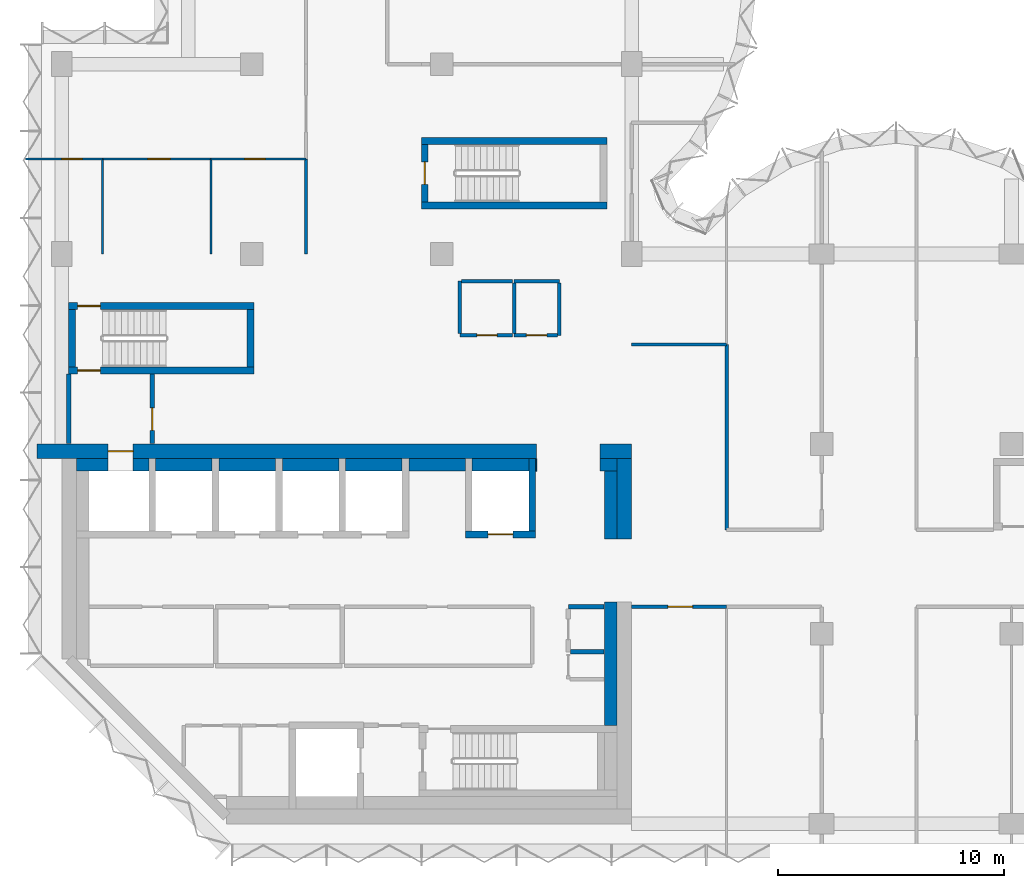
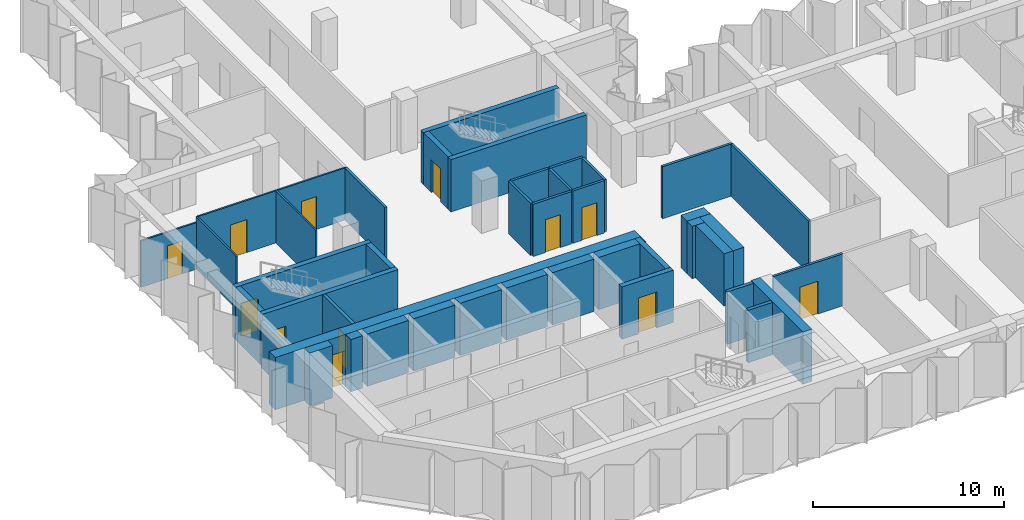
# One storey, part 6 of 10: 44 walls, 12 doors, 12 openings.
"""IFC4 building model written with IfcOpenShell, lengths in metres."""

from ifc_helpers import new_model, si_unit, direction, frame, frame_2d, origin, place, context, subcontext, project, spatial, rectangle, extrude, material, layer, layer_set, type_object, element, fill, save


model = new_model("IFC4")

# Units and contexts
model_context = context("Model", 3, precision=1e-05, world=origin(), true_north=direction((0.0, 1.0)))
body_context = subcontext(model_context, "Body", "Model", "MODEL_VIEW")
ifc_project = project(units=[si_unit("LENGTHUNIT", "METRE"), si_unit("AREAUNIT", "SQUARE_METRE"), si_unit("VOLUMEUNIT", "CUBIC_METRE"), si_unit("PLANEANGLEUNIT", "RADIAN"), si_unit("MASSUNIT", "GRAM", prefix="KILO")], contexts=[model_context])

# Site, building, storey
site_placement = place(None, origin())
site = spatial("IfcSite", under=ifc_project, at=site_placement, CompositionType="ELEMENT")
building_placement = place(site_placement, origin())
building = spatial("IfcBuilding", under=site, at=building_placement, Name="Brevane Broadcast Tower", CompositionType="ELEMENT")
storey_placement = place(building_placement, frame((0.0, 0.0, 170.39990234375)))
storey = spatial("IfcBuildingStorey", under=building, at=storey_placement, Name="L42", CompositionType="ELEMENT", Elevation=170.39990234375)

# Walls
ifc_material_1 = material(Name="Concrete C32/40", Category="concrete")
ifc_layer_1 = layer(ifc_material_1, 0.550048828125)
ifc_layer_set_1 = layer_set([ifc_layer_1], Name="Core chase wall 550 mm")
wall_type_1 = type_object("IfcWallType", Name="Core chase wall 550 mm", PredefinedType="PARTITIONING", material=ifc_layer_set_1)
wall_1_placement = place(storey_placement, frame((24.27490234375, 12.60009765625, 0.0), z_axis=(0.0, 0.0, 1.0), x_axis=(0.0, 1.0, 0.0)))
element("IfcWall", 1, at=wall_1_placement, inside=storey, type_object=wall_type_1, Name="L42 chase wall LE2", PredefinedType="PARTITIONING", context=body_context, shape_type="SweptSolid", body=[
    extrude(rectangle(XDim=3.0, YDim=0.550048828125, at=frame_2d((1.5, 0.0))), origin(), (0.0, 0.0, 1.0), 3.35009765625),
])
wall_2_placement = place(storey_placement, frame((0.64990234375, 15.875, 0.0), z_axis=(0.0, 0.0, 1.0), x_axis=(1.0, 0.0, 0.0)))
element("IfcWall", 2, at=wall_2_placement, inside=storey, type_object=wall_type_1, Name="L42 chase wall LN0", PredefinedType="PARTITIONING", context=body_context, shape_type="SweptSolid", body=[
    extrude(rectangle(XDim=1.400146484375, YDim=0.550048828125, at=frame_2d((0.7001953125, 0.0))), origin(), (0.0, 0.0, 1.0), 3.35009765625),
])
wall_3_placement = place(storey_placement, frame((23.800048828125, 15.875, 0.0), z_axis=(0.0, 0.0, 1.0), x_axis=(1.0, 0.0, 0.0)))
element("IfcWall", 3, at=wall_3_placement, inside=storey, type_object=wall_type_1, Name="L42 chase wall LN2", PredefinedType="PARTITIONING", context=body_context, shape_type="SweptSolid", body=[
    extrude(rectangle(XDim=0.75, YDim=0.550048828125, at=frame_2d((0.375, 0.0))), origin(), (0.0, 0.0, 1.0), 3.35009765625),
])
wall_4_placement = place(storey_placement, frame((3.14990234375, 15.875, 0.0), z_axis=(0.0, 0.0, 1.0), x_axis=(1.0, 0.0, 0.0)))
element("IfcWall", 4, at=wall_4_placement, inside=storey, type_object=wall_type_1, Name="L42 chase wall LN1-1", PredefinedType="PARTITIONING", context=body_context, shape_type="SweptSolid", body=[
    extrude(rectangle(XDim=0.7001953125, YDim=0.550048828125, at=frame_2d((0.35009765625, 0.0))), origin(), (0.0, 0.0, 1.0), 3.35009765625),
])
for number, where, z_axis, x_axis, name in (
    (5, (4.14990234375, 15.875, 0.0), (0.0, 0.0, 1.0), (1.0, 0.0, 0.0), "L42 chase wall LN1-2-1"),
    (6, (6.949951171875, 15.875, 0.0), (0.0, 0.0, 1.0), (1.0, 0.0, 0.0), "L42 chase wall LN1-2-2-1"),
    (7, (9.75, 15.875, 0.0), (0.0, 0.0, 1.0), (1.0, 0.0, 0.0), "L42 chase wall LN1-2-2-2-1"),
    (8, (12.550048828125, 15.875, 0.0), (0.0, 0.0, 1.0), (1.0, 0.0, 0.0), "L42 chase wall LN1-2-2-2-2-1"),
    (9, (15.35009765625, 15.875, 0.0), (0.0, 0.0, 1.0), (1.0, 0.0, 0.0), "L42 chase wall LN1-2-2-2-2-2-1"),
    (10, (18.14990234375, 15.875, 0.0), (0.0, 0.0, 1.0), (1.0, 0.0, 0.0), "L42 chase wall LN1-2-2-2-2-2-2-1"),
):
    element("IfcWall", number, at=place(storey_placement, frame(where, z_axis=z_axis, x_axis=x_axis)), inside=storey, type_object=wall_type_1, Name=name, PredefinedType="PARTITIONING", context=body_context, shape_type="SweptSolid", body=[
        extrude(rectangle(XDim=2.5, YDim=0.550048828125, at=frame_2d((1.25, 0.0))), origin(), (0.0, 0.0, 1.0), 3.35009765625),
    ])
wall_5_placement = place(storey_placement, frame((20.949951171875, 15.875, 0.0), z_axis=(0.0, 0.0, 1.0), x_axis=(1.0, 0.0, 0.0)))
element("IfcWall", 11, at=wall_5_placement, inside=storey, type_object=wall_type_1, Name="L42 chase wall LN1-2-2-2-2-2-2-2", PredefinedType="PARTITIONING", context=body_context, shape_type="SweptSolid", body=[
    extrude(rectangle(XDim=0.050048828125, YDim=0.550048828125, at=frame_2d((0.02490234375, 0.0))), origin(), (0.0, 0.0, 1.0), 3.35009765625),
])
wall_6_placement = place(storey_placement, frame((24.27490234375, 4.35009765625, 0.0), z_axis=(0.0, 0.0, 1.0), x_axis=(0.0, 1.0, 0.0)))
element("IfcWall", 12, at=wall_6_placement, inside=storey, type_object=wall_type_1, Name="L42 chase wall LE1-2-2", PredefinedType="PARTITIONING", context=body_context, shape_type="SweptSolid", body=[
    extrude(rectangle(XDim=5.449951171875, YDim=0.550048828125, at=frame_2d((2.72509765625, 0.0))), origin(), (0.0, 0.0, 1.0), 3.35009765625),
])
ifc_material_2 = material(Name="Gypsum board on steel studs", Category="steel")
ifc_layer_2 = layer(ifc_material_2, 0.14990234375)
ifc_layer_set_2 = layer_set([ifc_layer_2], Name="Core fire partition 150 mm")
wall_type_2 = type_object("IfcWallType", Name="Core fire partition 150 mm", PredefinedType="PARTITIONING", material=ifc_layer_set_2)
wall_7_placement = place(storey_placement, frame((20.0, 24.0, 0.0), z_axis=(0.0, 0.0, 1.0), x_axis=(1.0, 0.0, 0.0)))
element("IfcWall", 13, at=wall_7_placement, inside=storey, type_object=wall_type_2, Name="L42 partition wall P22", PredefinedType="PARTITIONING", context=body_context, shape_type="SweptSolid", body=[
    extrude(rectangle(XDim=2.0, YDim=0.14990234375, at=frame_2d((1.0, 0.0))), origin(), (0.0, 0.0, 1.0), 3.35009765625),
])
wall_8_placement = place(storey_placement, frame((22.0, 23.925048828125, 0.0), z_axis=(0.0, 0.0, 1.0), x_axis=(0.0, -1.0, 0.0)))
element("IfcWall", 14, at=wall_8_placement, inside=storey, type_object=wall_type_2, Name="L42 partition wall P23", PredefinedType="PARTITIONING", context=body_context, shape_type="SweptSolid", body=[
    extrude(rectangle(XDim=2.324951171875, YDim=0.14990234375, at=frame_2d((1.16259765625, 0.0))), origin(), (0.0, 0.0, 1.0), 3.35009765625),
])

# Wall, opening, door
wall_9_placement = place(storey_placement, frame((21.925048828125, 21.60009765625, 0.0), z_axis=(0.0, 0.0, 1.0), x_axis=(-1.0, 0.0, 0.0)))
wall_9 = element("IfcWall", 15, at=wall_9_placement, inside=storey, type_object=wall_type_2, Name="L42 partition wall P24", PredefinedType="PARTITIONING", context=body_context, shape_type="SweptSolid", body=[
    extrude(rectangle(XDim=1.925048828125, YDim=0.14990234375, at=frame_2d((0.96240234375, 0.0))), origin(), (0.0, 0.0, 1.0), 3.35009765625),
])
opening_1_placement = place(wall_9_placement, frame((0.47509765625, 0.0, 0.0)))
opening_1 = element("IfcOpeningElement", 16, at=opening_1_placement, cuts=wall_9, Name="Opening L42-K23", PredefinedType="OPENING", context=body_context, shape_type="SweptSolid", body=[
    extrude(rectangle(XDim=0.89990234375, YDim=2.10009765625, at=frame_2d((0.449951171875, 1.050048828125))), frame((0.0, 0.0849609375, 0.0), z_axis=(0.0, -1.0, 0.0), x_axis=(1.0, 0.0, 0.0)), (0.0, 0.0, 1.0), 0.169921875),
])
ifc_material_3 = material(Name="Timber", Category="wood")
door_type_1 = type_object("IfcDoorType", Name="Toilet door 900 x 2100", OperationType="SINGLE_SWING_LEFT", PredefinedType="DOOR", material=ifc_material_3)
door_1_placement = place(opening_1_placement, origin())
door_1 = element("IfcDoor", 17, at=door_1_placement, inside=storey, type_object=door_type_1, Name="Door L42-K23", OperationType="SINGLE_SWING_RIGHT", OverallHeight=2.10009765625, OverallWidth=0.89990234375, PredefinedType="DOOR", context=body_context, shape_type="SweptSolid", body=[
    extrude(rectangle(XDim=0.89990234375, YDim=2.10009765625, at=frame_2d((0.449951171875, 1.050048828125))), frame((0.0, 0.02490234375, 0.0), z_axis=(0.0, -1.0, 0.0), x_axis=(1.0, 0.0, 0.0)), (0.0, 0.0, 1.0), 0.050048828125),
])
fill(opening_1, door_1)

# Wall
wall_10_placement = place(storey_placement, frame((20.0, 21.675048828125, 0.0), z_axis=(0.0, 0.0, 1.0), x_axis=(0.0, 1.0, 0.0)))
element("IfcWall", 18, at=wall_10_placement, inside=storey, type_object=wall_type_2, Name="L42 partition wall P25", PredefinedType="PARTITIONING", context=body_context, shape_type="SweptSolid", body=[
    extrude(rectangle(XDim=2.25, YDim=0.14990234375, at=frame_2d((1.125, 0.0))), origin(), (0.0, 0.0, 1.0), 3.35009765625),
])

# Wall, opening, door
wall_11_placement = place(storey_placement, frame((19.925048828125, 21.60009765625, 0.0), z_axis=(0.0, 0.0, 1.0), x_axis=(-1.0, 0.0, 0.0)))
wall_11 = element("IfcWall", 19, at=wall_11_placement, inside=storey, type_object=wall_type_2, Name="L42 partition wall P26", PredefinedType="PARTITIONING", context=body_context, shape_type="SweptSolid", body=[
    extrude(rectangle(XDim=2.324951171875, YDim=0.14990234375, at=frame_2d((1.16259765625, 0.0))), origin(), (0.0, 0.0, 1.0), 3.35009765625),
])
opening_2_placement = place(wall_11_placement, frame((0.675048828125, 0.0, 0.0)))
opening_2 = element("IfcOpeningElement", 20, at=opening_2_placement, cuts=wall_11, Name="Opening L42-K24", PredefinedType="OPENING", context=body_context, shape_type="SweptSolid", body=[
    extrude(rectangle(XDim=0.89990234375, YDim=2.10009765625, at=frame_2d((0.449951171875, 1.050048828125))), frame((0.0, 0.0849609375, 0.0), z_axis=(0.0, -1.0, 0.0), x_axis=(1.0, 0.0, 0.0)), (0.0, 0.0, 1.0), 0.169921875),
])
ifc_material_4 = material(Name="Steel", Category="steel")
door_type_2 = type_object("IfcDoorType", Name="Service room door 900 x 2100", OperationType="SINGLE_SWING_LEFT", PredefinedType="DOOR", material=ifc_material_4)
door_2_placement = place(opening_2_placement, origin())
door_2 = element("IfcDoor", 21, at=door_2_placement, inside=storey, type_object=door_type_2, Name="Door L42-K24", OperationType="SINGLE_SWING_LEFT", OverallHeight=2.10009765625, OverallWidth=0.89990234375, PredefinedType="DOOR", context=body_context, shape_type="SweptSolid", body=[
    extrude(rectangle(XDim=0.89990234375, YDim=2.10009765625, at=frame_2d((0.449951171875, 1.050048828125))), frame((0.0, 0.02490234375, 0.0), z_axis=(0.0, -1.0, 0.0), x_axis=(1.0, 0.0, 0.0)), (0.0, 0.0, 1.0), 0.050048828125),
])
fill(opening_2, door_2)

# Walls
wall_12_placement = place(storey_placement, frame((17.60009765625, 21.675048828125, 0.0), z_axis=(0.0, 0.0, 1.0), x_axis=(0.0, 1.0, 0.0)))
element("IfcWall", 22, at=wall_12_placement, inside=storey, type_object=wall_type_2, Name="L42 partition wall P27", PredefinedType="PARTITIONING", context=body_context, shape_type="SweptSolid", body=[
    extrude(rectangle(XDim=2.324951171875, YDim=0.14990234375, at=frame_2d((1.16259765625, 0.0))), origin(), (0.0, 0.0, 1.0), 3.35009765625),
])
wall_13_placement = place(storey_placement, frame((17.675048828125, 24.0, 0.0), z_axis=(0.0, 0.0, 1.0), x_axis=(1.0, 0.0, 0.0)))
element("IfcWall", 23, at=wall_13_placement, inside=storey, type_object=wall_type_2, Name="L42 partition wall P28", PredefinedType="PARTITIONING", context=body_context, shape_type="SweptSolid", body=[
    extrude(rectangle(XDim=2.25, YDim=0.14990234375, at=frame_2d((1.125, 0.0))), origin(), (0.0, 0.0, 1.0), 3.35009765625),
])
ifc_layer_3 = layer(ifc_material_2, 0.199951171875)
ifc_layer_set_3 = layer_set([ifc_layer_3], Name="Core fire partition 200 mm")
wall_type_3 = type_object("IfcWallType", Name="Core fire partition 200 mm", PredefinedType="PARTITIONING", material=ifc_layer_set_3)
wall_14_placement = place(storey_placement, frame((0.300048828125, 16.81201171875, 0.0), z_axis=(0.0, 0.0, 1.0), x_axis=(0.0, 1.0, 0.0)))
element("IfcWall", 24, at=wall_14_placement, inside=storey, type_object=wall_type_3, Name="L42 partition wall P01", PredefinedType="PARTITIONING", context=body_context, shape_type="SweptSolid", body=[
    extrude(rectangle(XDim=3.075927734375, YDim=0.199951171875, at=frame_2d((1.5380859375, 0.0))), origin(), (0.0, 0.0, 1.0), 2.97998046875),
])

# Wall, opening, door
wall_15_placement = place(storey_placement, frame((4.0, 19.887939453125, 0.0), z_axis=(0.0, 0.0, 1.0), x_axis=(0.0, -1.0, 0.0)))
wall_15 = element("IfcWall", 25, at=wall_15_placement, inside=storey, type_object=wall_type_3, Name="L42 partition wall P02", PredefinedType="PARTITIONING", context=body_context, shape_type="SweptSolid", body=[
    extrude(rectangle(XDim=3.075927734375, YDim=0.199951171875, at=frame_2d((1.5380859375, 0.0))), origin(), (0.0, 0.0, 1.0), 3.35009765625),
])
opening_3_placement = place(wall_15_placement, frame((1.488037109375, 0.0, 0.0)))
opening_3 = element("IfcOpeningElement", 26, at=opening_3_placement, cuts=wall_15, Name="Opening L42-K22", PredefinedType="OPENING", context=body_context, shape_type="SweptSolid", body=[
    extrude(rectangle(XDim=1.0, YDim=2.10009765625, at=frame_2d((0.5, 1.050048828125))), frame((0.0, 0.10986328125, 0.0), z_axis=(0.0, -1.0, 0.0), x_axis=(1.0, 0.0, 0.0)), (0.0, 0.0, 1.0), 0.219970703125),
])
door_type_3 = type_object("IfcDoorType", Name="Stair door 1000 x 2100", OperationType="SINGLE_SWING_LEFT", PredefinedType="DOOR", material=ifc_material_4)
door_3_placement = place(opening_3_placement, origin())
door_3 = element("IfcDoor", 27, at=door_3_placement, inside=storey, type_object=door_type_3, Name="Door L42-K22", OperationType="SINGLE_SWING_LEFT", OverallHeight=2.10009765625, OverallWidth=1.0, PredefinedType="DOOR", context=body_context, shape_type="SweptSolid", body=[
    extrude(rectangle(XDim=1.0, YDim=2.10009765625, at=frame_2d((0.5, 1.050048828125))), frame((0.0, 0.02490234375, 0.0), z_axis=(0.0, -1.0, 0.0), x_axis=(1.0, 0.0, 0.0)), (0.0, 0.0, 1.0), 0.050048828125),
])
fill(opening_3, door_3)

# Walls
wall_16_placement = place(storey_placement, frame((23.988037109375, 9.60009765625, 0.0), z_axis=(0.0, 0.0, 1.0), x_axis=(-1.0, 0.0, 0.0)))
element("IfcWall", 28, at=wall_16_placement, inside=storey, type_object=wall_type_3, Name="L42 partition wall P04", PredefinedType="PARTITIONING", context=body_context, shape_type="SweptSolid", body=[
    extrude(rectangle(XDim=1.588134765625, YDim=0.199951171875, at=frame_2d((0.7939453125, 0.0))), origin(), (0.0, 0.0, 1.0), 3.35009765625),
])
wall_17_placement = place(storey_placement, frame((22.5, 7.60009765625, 0.0), z_axis=(0.0, 0.0, 1.0), x_axis=(1.0, 0.0, 0.0)))
element("IfcWall", 29, at=wall_17_placement, inside=storey, type_object=wall_type_3, Name="L42 partition wall P06", PredefinedType="PARTITIONING", context=body_context, shape_type="SweptSolid", body=[
    extrude(rectangle(XDim=1.488037109375, YDim=0.199951171875, at=frame_2d((0.744140625, 0.0))), origin(), (0.0, 0.0, 1.0), 3.35009765625),
])

# Wall, opening, door
ifc_material_5 = material(Name="Concrete C60/75", Category="concrete")
ifc_layer_4 = layer(ifc_material_5, 0.300048828125)
ifc_layer_set_4 = layer_set([ifc_layer_4], Name="Core wall 300 mm C60/75")
wall_type_4 = type_object("IfcWallType", Name="Core wall 300 mm C60/75", PredefinedType="SHEAR", material=ifc_layer_set_4)
wall_18_placement = place(storey_placement, frame((17.85009765625, 12.800048828125, 0.0), z_axis=(0.0, 0.0, 1.0), x_axis=(1.0, 0.0, 0.0)))
wall_18 = element("IfcWall", 30, at=wall_18_placement, inside=storey, type_object=wall_type_4, Name="L42 shaft wall SH-N180-front", PredefinedType="SHEAR", context=body_context, shape_type="SweptSolid", body=[
    extrude(rectangle(XDim=3.099853515625, YDim=0.300048828125, at=frame_2d((1.5498046875, 0.0))), origin(), (0.0, 0.0, 1.0), 3.35009765625),
])
opening_4_placement = place(wall_18_placement, frame((1.0, 0.0, 0.0)))
opening_4 = element("IfcOpeningElement", 31, at=opening_4_placement, cuts=wall_18, Name="Opening LD", PredefinedType="OPENING", context=body_context, shape_type="SweptSolid", body=[
    extrude(rectangle(XDim=1.10009765625, YDim=2.300048828125, at=frame_2d((0.550048828125, 1.14990234375))), frame((0.0, 0.159912109375, 0.0), z_axis=(0.0, -1.0, 0.0), x_axis=(1.0, 0.0, 0.0)), (0.0, 0.0, 1.0), 0.320068359375),
])
ifc_material_6 = material(Name="Stainless steel", Category="steel")
door_type_4 = type_object("IfcDoorType", Name="Lift landing door", OperationType="SLIDING_TO_LEFT", PredefinedType="DOOR", material=ifc_material_6)
door_4_placement = place(opening_4_placement, origin())
door_4 = element("IfcDoor", 32, at=door_4_placement, inside=storey, type_object=door_type_4, Name="Landing door SL1 L42", OperationType="SLIDING_TO_LEFT", OverallHeight=2.300048828125, OverallWidth=1.10009765625, PredefinedType="DOOR", context=body_context, shape_type="SweptSolid", body=[
    extrude(rectangle(XDim=1.10009765625, YDim=2.300048828125, at=frame_2d((0.550048828125, 1.14990234375))), frame((0.0, 0.02490234375, 0.0), z_axis=(0.0, -1.0, 0.0), x_axis=(1.0, 0.0, 0.0)), (0.0, 0.0, 1.0), 0.050048828125),
])
fill(opening_4, door_4)

# Wall
wall_19_placement = place(storey_placement, frame((20.800048828125, 12.949951171875, 0.0), z_axis=(0.0, 0.0, 1.0), x_axis=(0.0, 1.0, 0.0)))
element("IfcWall", 33, at=wall_19_placement, inside=storey, type_object=wall_type_4, Name="L42 shaft wall SH-N-P208", PredefinedType="SHEAR", context=body_context, shape_type="SweptSolid", body=[
    extrude(rectangle(XDim=3.199951171875, YDim=0.300048828125, at=frame_2d((1.60009765625, 0.0))), origin(), (0.0, 0.0, 1.0), 3.35009765625),
])

# Wall, opening, door
wall_20_placement = place(storey_placement, frame((8.5, 20.050048828125, 0.0), z_axis=(0.0, 0.0, 1.0), x_axis=(-1.0, 0.0, 0.0)))
wall_20 = element("IfcWall", 34, at=wall_20_placement, inside=storey, type_object=wall_type_4, Name="L42 stair wall ST-1-S", PredefinedType="SHEAR", context=body_context, shape_type="SweptSolid", body=[
    extrude(rectangle(XDim=8.199951171875, YDim=0.300048828125, at=frame_2d((4.10009765625, 0.0))), origin(), (0.0, 0.0, 1.0), 3.35009765625),
])
opening_5_placement = place(wall_20_placement, frame((6.800048828125, 0.0, 0.0)))
opening_5 = element("IfcOpeningElement", 35, at=opening_5_placement, cuts=wall_20, Name="Opening L42-K08", PredefinedType="OPENING", context=body_context, shape_type="SweptSolid", body=[
    extrude(rectangle(XDim=1.0, YDim=2.10009765625, at=frame_2d((0.5, 1.050048828125))), frame((0.0, 0.159912109375, 0.0), z_axis=(0.0, -1.0, 0.0), x_axis=(1.0, 0.0, 0.0)), (0.0, 0.0, 1.0), 0.320068359375),
])
door_5_placement = place(opening_5_placement, origin())
door_5 = element("IfcDoor", 36, at=door_5_placement, inside=storey, type_object=door_type_3, Name="Door L42-K08", OperationType="SINGLE_SWING_LEFT", OverallHeight=2.10009765625, OverallWidth=1.0, PredefinedType="DOOR", context=body_context, shape_type="SweptSolid", body=[
    extrude(rectangle(XDim=1.0, YDim=2.10009765625, at=frame_2d((0.5, 1.050048828125))), frame((0.0, 0.02490234375, 0.0), z_axis=(0.0, -1.0, 0.0), x_axis=(1.0, 0.0, 0.0)), (0.0, 0.0, 1.0), 0.050048828125),
])
fill(opening_5, door_5)

wall_21_placement = place(storey_placement, frame((0.300048828125, 22.89990234375, 0.0), z_axis=(0.0, 0.0, 1.0), x_axis=(1.0, 0.0, 0.0)))
wall_21 = element("IfcWall", 37, at=wall_21_placement, inside=storey, type_object=wall_type_4, Name="L42 stair wall ST-1-N", PredefinedType="SHEAR", context=body_context, shape_type="SweptSolid", body=[
    extrude(rectangle(XDim=8.199951171875, YDim=0.300048828125, at=frame_2d((4.10009765625, 0.0))), origin(), (0.0, 0.0, 1.0), 3.35009765625),
])
opening_6_placement = place(wall_21_placement, frame((0.39990234375, 0.0, 0.0)))
opening_6 = element("IfcOpeningElement", 38, at=opening_6_placement, cuts=wall_21, Name="Opening L42-K09", PredefinedType="OPENING", context=body_context, shape_type="SweptSolid", body=[
    extrude(rectangle(XDim=1.0, YDim=2.10009765625, at=frame_2d((0.5, 1.050048828125))), frame((0.0, 0.159912109375, 0.0), z_axis=(0.0, -1.0, 0.0), x_axis=(1.0, 0.0, 0.0)), (0.0, 0.0, 1.0), 0.320068359375),
])
door_6_placement = place(opening_6_placement, origin())
door_6 = element("IfcDoor", 39, at=door_6_placement, inside=storey, type_object=door_type_3, Name="Door L42-K09", OperationType="SINGLE_SWING_RIGHT", OverallHeight=2.10009765625, OverallWidth=1.0, PredefinedType="DOOR", context=body_context, shape_type="SweptSolid", body=[
    extrude(rectangle(XDim=1.0, YDim=2.10009765625, at=frame_2d((0.5, 1.050048828125))), frame((0.0, 0.02490234375, 0.0), z_axis=(0.0, -1.0, 0.0), x_axis=(1.0, 0.0, 0.0)), (0.0, 0.0, 1.0), 0.050048828125),
])
fill(opening_6, door_6)

# Walls
for number, where, z_axis, x_axis, name in (
    (40, (0.449951171875, 20.199951171875, 0.0), (0.0, 0.0, 1.0), (0.0, 1.0, 0.0), "L42 stair wall ST-1-W"),
    (41, (8.35009765625, 20.199951171875, 0.0), (0.0, 0.0, 1.0), (0.0, 1.0, 0.0), "L42 stair wall ST-1-E"),
):
    element("IfcWall", number, at=place(storey_placement, frame(where, z_axis=z_axis, x_axis=x_axis)), inside=storey, type_object=wall_type_4, Name=name, PredefinedType="SHEAR", context=body_context, shape_type="SweptSolid", body=[
        extrude(rectangle(XDim=2.550048828125, YDim=0.300048828125, at=frame_2d((1.27490234375, 0.0))), origin(), (0.0, 0.0, 1.0), 3.35009765625),
    ])
for number, where, z_axis, x_axis, name in (
    (42, (15.89990234375, 27.35009765625, 0.0), (0.0, 0.0, 1.0), (1.0, 0.0, 0.0), "L42 stair wall ST-3-S"),
    (43, (15.89990234375, 30.199951171875, 0.0), (0.0, 0.0, 1.0), (1.0, 0.0, 0.0), "L42 stair wall ST-3-N"),
):
    element("IfcWall", number, at=place(storey_placement, frame(where, z_axis=z_axis, x_axis=x_axis)), inside=storey, type_object=wall_type_4, Name=name, PredefinedType="SHEAR", context=body_context, shape_type="SweptSolid", body=[
        extrude(rectangle(XDim=8.2001953125, YDim=0.300048828125, at=frame_2d((4.10009765625, 0.0))), origin(), (0.0, 0.0, 1.0), 3.35009765625),
    ])

# Wall, opening, door
wall_22_placement = place(storey_placement, frame((16.050048828125, 27.5, 0.0), z_axis=(0.0, 0.0, 1.0), x_axis=(0.0, 1.0, 0.0)))
wall_22 = element("IfcWall", 44, at=wall_22_placement, inside=storey, type_object=wall_type_4, Name="L42 stair wall ST-3-W", PredefinedType="SHEAR", context=body_context, shape_type="SweptSolid", body=[
    extrude(rectangle(XDim=2.550048828125, YDim=0.300048828125, at=frame_2d((1.27490234375, 0.0))), origin(), (0.0, 0.0, 1.0), 3.35009765625),
])
opening_7_placement = place(wall_22_placement, frame((0.77490234375, 0.0, 0.0)))
opening_7 = element("IfcOpeningElement", 45, at=opening_7_placement, cuts=wall_22, Name="Opening L42-K12", PredefinedType="OPENING", context=body_context, shape_type="SweptSolid", body=[
    extrude(rectangle(XDim=1.0, YDim=2.10009765625, at=frame_2d((0.5, 1.050048828125))), frame((0.0, 0.159912109375, 0.0), z_axis=(0.0, -1.0, 0.0), x_axis=(1.0, 0.0, 0.0)), (0.0, 0.0, 1.0), 0.320068359375),
])
door_7_placement = place(opening_7_placement, origin())
door_7 = element("IfcDoor", 46, at=door_7_placement, inside=storey, type_object=door_type_3, Name="Door L42-K12", OperationType="SINGLE_SWING_LEFT", OverallHeight=2.10009765625, OverallWidth=1.0, PredefinedType="DOOR", context=body_context, shape_type="SweptSolid", body=[
    extrude(rectangle(XDim=1.0, YDim=2.10009765625, at=frame_2d((0.5, 1.050048828125))), frame((0.0, 0.02490234375, 0.0), z_axis=(0.0, -1.0, 0.0), x_axis=(1.0, 0.0, 0.0)), (0.0, 0.0, 1.0), 0.050048828125),
])
fill(opening_7, door_7)

ifc_layer_5 = layer(ifc_material_5, 0.64990234375)
ifc_layer_set_5 = layer_set([ifc_layer_5], Name="Core wall 650 mm C60/75")
wall_type_5 = type_object("IfcWallType", Name="Core wall 650 mm C60/75", PredefinedType="SHEAR", material=ifc_layer_set_5)
wall_23_placement = place(storey_placement, frame((-1.10009765625, 16.47509765625, 0.0), z_axis=(0.0, 0.0, 1.0), x_axis=(1.0, 0.0, 0.0)))
wall_23 = element("IfcWall", 47, at=wall_23_placement, inside=storey, type_object=wall_type_5, Name="L42 outer wall WN1", PredefinedType="SHEAR", context=body_context, shape_type="SweptSolid", body=[
    extrude(rectangle(XDim=22.10009765625, YDim=0.64990234375, at=frame_2d((11.050048828125, 0.0))), origin(), (0.0, 0.0, 1.0), 3.35009765625),
])
opening_8_placement = place(wall_23_placement, frame((3.14990234375, 0.0, 0.0)))
opening_8 = element("IfcOpeningElement", 48, at=opening_8_placement, cuts=wall_23, Name="Opening LD", PredefinedType="OPENING", context=body_context, shape_type="SweptSolid", body=[
    extrude(rectangle(XDim=1.10009765625, YDim=2.300048828125, at=frame_2d((0.550048828125, 1.14990234375))), frame((0.0, 0.3349609375, 0.0), z_axis=(0.0, -1.0, 0.0), x_axis=(1.0, 0.0, 0.0)), (0.0, 0.0, 1.0), 0.669921875),
])
door_8_placement = place(opening_8_placement, origin())
door_8 = element("IfcDoor", 49, at=door_8_placement, inside=storey, type_object=door_type_4, Name="Landing door FF1 L42", OperationType="SLIDING_TO_LEFT", OverallHeight=2.300048828125, OverallWidth=1.10009765625, PredefinedType="DOOR", context=body_context, shape_type="SweptSolid", body=[
    extrude(rectangle(XDim=1.10009765625, YDim=2.300048828125, at=frame_2d((0.550048828125, 1.14990234375))), frame((0.0, 0.02490234375, 0.0), z_axis=(0.0, -1.0, 0.0), x_axis=(1.0, 0.0, 0.0)), (0.0, 0.0, 1.0), 0.050048828125),
])
fill(opening_8, door_8)

# Walls
wall_24_placement = place(storey_placement, frame((23.800048828125, 16.47509765625, 0.0), z_axis=(0.0, 0.0, 1.0), x_axis=(1.0, 0.0, 0.0)))
element("IfcWall", 50, at=wall_24_placement, inside=storey, type_object=wall_type_5, Name="L42 outer wall WN2", PredefinedType="SHEAR", context=body_context, shape_type="SweptSolid", body=[
    extrude(rectangle(XDim=1.39990234375, YDim=0.64990234375, at=frame_2d((0.699951171875, 0.0))), origin(), (0.0, 0.0, 1.0), 3.35009765625),
])
wall_25_placement = place(storey_placement, frame((24.875, 12.60009765625, 0.0), z_axis=(0.0, 0.0, 1.0), x_axis=(0.0, 1.0, 0.0)))
element("IfcWall", 51, at=wall_25_placement, inside=storey, type_object=wall_type_5, Name="L42 outer wall WE2", PredefinedType="SHEAR", context=body_context, shape_type="SweptSolid", body=[
    extrude(rectangle(XDim=3.5498046875, YDim=0.64990234375, at=frame_2d((1.77490234375, 0.0))), origin(), (0.0, 0.0, 1.0), 3.35009765625),
])

# Wall, opening, door
ifc_material_7 = material(Name="Gypsum board partition")
ifc_layer_6 = layer(ifc_material_7, 0.10009765625)
ifc_layer_set_6 = layer_set([ifc_layer_6], Name="PARTITION 100 STUD")
wall_type_6 = type_object("IfcWallType", Name="PARTITION 100 STUD", PredefinedType="PARTITIONING", material=ifc_layer_set_6)
wall_26_placement = place(storey_placement, frame((1.800048828125, 29.39990234375, 0.0), z_axis=(0.0, 0.0, 1.0), x_axis=(-1.0, 0.0, 0.0)))
wall_26 = element("IfcWall", 52, at=wall_26_placement, inside=storey, type_object=wall_type_6, Name="Partition G12-048", PredefinedType="PARTITIONING", context=body_context, shape_type="SweptSolid", body=[
    extrude(rectangle(XDim=3.4091796875, YDim=0.10009765625, at=frame_2d((1.70458984375, 0.0))), origin(), (0.0, 0.0, 1.0), 2.97998046875),
])
opening_9_placement = place(wall_26_placement, frame((0.89990234375, 0.0, 0.0)))
opening_9 = element("IfcOpeningElement", 53, at=opening_9_placement, cuts=wall_26, Name="Opening D21-014", PredefinedType="OPENING", context=body_context, shape_type="SweptSolid", body=[
    extrude(rectangle(XDim=0.89990234375, YDim=2.10009765625, at=frame_2d((0.449951171875, 1.050048828125))), frame((0.0, 0.06005859375, 0.0), z_axis=(0.0, -1.0, 0.0), x_axis=(1.0, 0.0, 0.0)), (0.0, 0.0, 1.0), 0.1201171875),
])
ifc_material_8 = material(Name="Timber door leaf", Category="wood")
door_type_5 = type_object("IfcDoorType", Name="DOOR SINGLE 900 INTERNAL", OperationType="SINGLE_SWING_LEFT", PredefinedType="DOOR", material=ifc_material_8)
door_9_placement = place(opening_9_placement, origin())
door_9 = element("IfcDoor", 54, at=door_9_placement, inside=storey, type_object=door_type_5, Name="Door D21-014", OperationType="SINGLE_SWING_LEFT", OverallHeight=2.10009765625, OverallWidth=0.89990234375, PredefinedType="DOOR", context=body_context, shape_type="SweptSolid", body=[
    extrude(rectangle(XDim=0.89990234375, YDim=2.10009765625, at=frame_2d((0.449951171875, 1.050048828125))), frame((0.0, 0.02490234375, 0.0), z_axis=(0.0, -1.0, 0.0), x_axis=(1.0, 0.0, 0.0)), (0.0, 0.0, 1.0), 0.050048828125),
])
fill(opening_9, door_9)

wall_27_placement = place(storey_placement, frame((6.60009765625, 29.39990234375, 0.0), z_axis=(0.0, 0.0, 1.0), x_axis=(-1.0, 0.0, 0.0)))
wall_27 = element("IfcWall", 55, at=wall_27_placement, inside=storey, type_object=wall_type_6, Name="Partition G12-049", PredefinedType="PARTITIONING", context=body_context, shape_type="SweptSolid", body=[
    extrude(rectangle(XDim=4.800048828125, YDim=0.10009765625, at=frame_2d((2.39990234375, 0.0))), origin(), (0.0, 0.0, 1.0), 3.330078125),
])
opening_10_placement = place(wall_27_placement, frame((1.800048828125, 0.0, 0.0)))
opening_10 = element("IfcOpeningElement", 56, at=opening_10_placement, cuts=wall_27, Name="Opening D21-015", PredefinedType="OPENING", context=body_context, shape_type="SweptSolid", body=[
    extrude(rectangle(XDim=1.0, YDim=2.10009765625, at=frame_2d((0.5, 1.050048828125))), frame((0.0, 0.06005859375, 0.0), z_axis=(0.0, -1.0, 0.0), x_axis=(1.0, 0.0, 0.0)), (0.0, 0.0, 1.0), 0.1201171875),
])
door_type_6 = type_object("IfcDoorType", Name="DOOR SINGLE 1000 INTERNAL", OperationType="SINGLE_SWING_LEFT", PredefinedType="DOOR", material=ifc_material_8)
door_10_placement = place(opening_10_placement, origin())
door_10 = element("IfcDoor", 57, at=door_10_placement, inside=storey, type_object=door_type_6, Name="Door D21-015", OperationType="SINGLE_SWING_LEFT", OverallHeight=2.10009765625, OverallWidth=1.0, PredefinedType="DOOR", context=body_context, shape_type="SweptSolid", body=[
    extrude(rectangle(XDim=1.0, YDim=2.10009765625, at=frame_2d((0.5, 1.050048828125))), frame((0.0, 0.02490234375, 0.0), z_axis=(0.0, -1.0, 0.0), x_axis=(1.0, 0.0, 0.0)), (0.0, 0.0, 1.0), 0.050048828125),
])
fill(opening_10, door_10)

wall_28_placement = place(storey_placement, frame((10.800048828125, 29.39990234375, 0.0), z_axis=(0.0, 0.0, 1.0), x_axis=(-1.0, 0.0, 0.0)))
wall_28 = element("IfcWall", 58, at=wall_28_placement, inside=storey, type_object=wall_type_6, Name="Partition G12-050", PredefinedType="PARTITIONING", context=body_context, shape_type="SweptSolid", body=[
    extrude(rectangle(XDim=4.199951171875, YDim=0.10009765625, at=frame_2d((2.10009765625, 0.0))), origin(), (0.0, 0.0, 1.0), 3.330078125),
])
opening_11_placement = place(wall_28_placement, frame((1.800048828125, 0.0, 0.0)))
opening_11 = element("IfcOpeningElement", 59, at=opening_11_placement, cuts=wall_28, Name="Opening D21-016", PredefinedType="OPENING", context=body_context, shape_type="SweptSolid", body=[
    extrude(rectangle(XDim=0.89990234375, YDim=2.10009765625, at=frame_2d((0.449951171875, 1.050048828125))), frame((0.0, 0.06005859375, 0.0), z_axis=(0.0, -1.0, 0.0), x_axis=(1.0, 0.0, 0.0)), (0.0, 0.0, 1.0), 0.1201171875),
])
door_11_placement = place(opening_11_placement, origin())
door_11 = element("IfcDoor", 60, at=door_11_placement, inside=storey, type_object=door_type_5, Name="Door D21-016", OperationType="SINGLE_SWING_LEFT", OverallHeight=2.10009765625, OverallWidth=0.89990234375, PredefinedType="DOOR", context=body_context, shape_type="SweptSolid", body=[
    extrude(rectangle(XDim=0.89990234375, YDim=2.10009765625, at=frame_2d((0.449951171875, 1.050048828125))), frame((0.0, 0.02490234375, 0.0), z_axis=(0.0, -1.0, 0.0), x_axis=(1.0, 0.0, 0.0)), (0.0, 0.0, 1.0), 0.050048828125),
])
fill(opening_11, door_11)

# Walls
for number, where, z_axis, x_axis, name in (
    (61, (1.800048828125, 29.39990234375, 0.0), (0.0, 0.0, 1.0), (0.0, -1.0, 0.0), "Partition G12-052"),
    (62, (6.60009765625, 29.39990234375, 0.0), (0.0, 0.0, 1.0), (0.0, -1.0, 0.0), "Partition G12-053"),
):
    element("IfcWall", number, at=place(storey_placement, frame(where, z_axis=z_axis, x_axis=x_axis)), inside=storey, type_object=wall_type_6, Name=name, PredefinedType="PARTITIONING", context=body_context, shape_type="SweptSolid", body=[
        extrude(rectangle(XDim=4.199951171875, YDim=0.10009765625, at=frame_2d((2.10009765625, 0.0))), origin(), (0.0, 0.0, 1.0), 3.330078125),
    ])
ifc_layer_7 = layer(ifc_material_7, 0.14990234375)
ifc_layer_set_7 = layer_set([ifc_layer_7], Name="PARTITION 150 EI 60")
wall_type_7 = type_object("IfcWallType", Name="PARTITION 150 EI 60", PredefinedType="PARTITIONING", material=ifc_layer_set_7)
wall_29_placement = place(storey_placement, frame((25.199951171875, 21.199951171875, 0.0), z_axis=(0.0, 0.0, 1.0), x_axis=(1.0, 0.0, 0.0)))
element("IfcWall", 63, at=wall_29_placement, inside=storey, type_object=wall_type_7, Name="Partition G12-001", PredefinedType="PARTITIONING", context=body_context, shape_type="SweptSolid", body=[
    extrude(rectangle(XDim=4.199951171875, YDim=0.14990234375, at=frame_2d((2.10009765625, 0.0))), origin(), (0.0, 0.0, 1.0), 3.330078125),
])

# Wall, opening, door
wall_30_placement = place(storey_placement, frame((29.39990234375, 9.60009765625, 0.0), z_axis=(0.0, 0.0, 1.0), x_axis=(-1.0, 0.0, 0.0)))
wall_30 = element("IfcWall", 64, at=wall_30_placement, inside=storey, type_object=wall_type_7, Name="Partition G12-002", PredefinedType="PARTITIONING", context=body_context, shape_type="SweptSolid", body=[
    extrude(rectangle(XDim=4.199951171875, YDim=0.14990234375, at=frame_2d((2.10009765625, 0.0))), origin(), (0.0, 0.0, 1.0), 3.330078125),
])
opening_12_placement = place(wall_30_placement, frame((1.5, 0.0, 0.0)))
opening_12 = element("IfcOpeningElement", 65, at=opening_12_placement, cuts=wall_30, Name="Opening D21-003", PredefinedType="OPENING", context=body_context, shape_type="SweptSolid", body=[
    extrude(rectangle(XDim=1.10009765625, YDim=2.10009765625, at=frame_2d((0.550048828125, 1.050048828125))), frame((0.0, 0.0849609375, 0.0), z_axis=(0.0, -1.0, 0.0), x_axis=(1.0, 0.0, 0.0)), (0.0, 0.0, 1.0), 0.169921875),
])
ifc_material_9 = material(Name="Fire-rated timber door leaf", Category="wood")
door_type_7 = type_object("IfcDoorType", Name="DOOR SINGLE 1100 FD30S", OperationType="SINGLE_SWING_LEFT", PredefinedType="DOOR", material=ifc_material_9)
door_12_placement = place(opening_12_placement, origin())
door_12 = element("IfcDoor", 66, at=door_12_placement, inside=storey, type_object=door_type_7, Name="Door D21-003", OperationType="SINGLE_SWING_LEFT", OverallHeight=2.10009765625, OverallWidth=1.10009765625, PredefinedType="DOOR", context=body_context, shape_type="SweptSolid", body=[
    extrude(rectangle(XDim=1.10009765625, YDim=2.10009765625, at=frame_2d((0.550048828125, 1.050048828125))), frame((0.0, 0.02490234375, 0.0), z_axis=(0.0, -1.0, 0.0), x_axis=(1.0, 0.0, 0.0)), (0.0, 0.0, 1.0), 0.050048828125),
])
fill(opening_12, door_12)

# Walls
wall_31_placement = place(storey_placement, frame((29.39990234375, 21.199951171875, 0.0), z_axis=(0.0, 0.0, 1.0), x_axis=(0.0, -1.0, 0.0)))
element("IfcWall", 67, at=wall_31_placement, inside=storey, type_object=wall_type_7, Name="Partition G12-003", PredefinedType="PARTITIONING", context=body_context, shape_type="SweptSolid", body=[
    extrude(rectangle(XDim=8.199951171875, YDim=0.14990234375, at=frame_2d((4.10009765625, 0.0))), origin(), (0.0, 0.0, 1.0), 3.330078125),
])
wall_32_placement = place(storey_placement, frame((10.800048828125, 25.199951171875, 0.0), z_axis=(0.0, 0.0, 1.0), x_axis=(0.0, 1.0, 0.0)))
element("IfcWall", 68, at=wall_32_placement, inside=storey, type_object=wall_type_7, Name="Partition G12-039", PredefinedType="PARTITIONING", context=body_context, shape_type="SweptSolid", body=[
    extrude(rectangle(XDim=4.199951171875, YDim=0.14990234375, at=frame_2d((2.10009765625, 0.0))), origin(), (0.0, 0.0, 1.0), 3.330078125),
])

save(model, "model.ifc")
